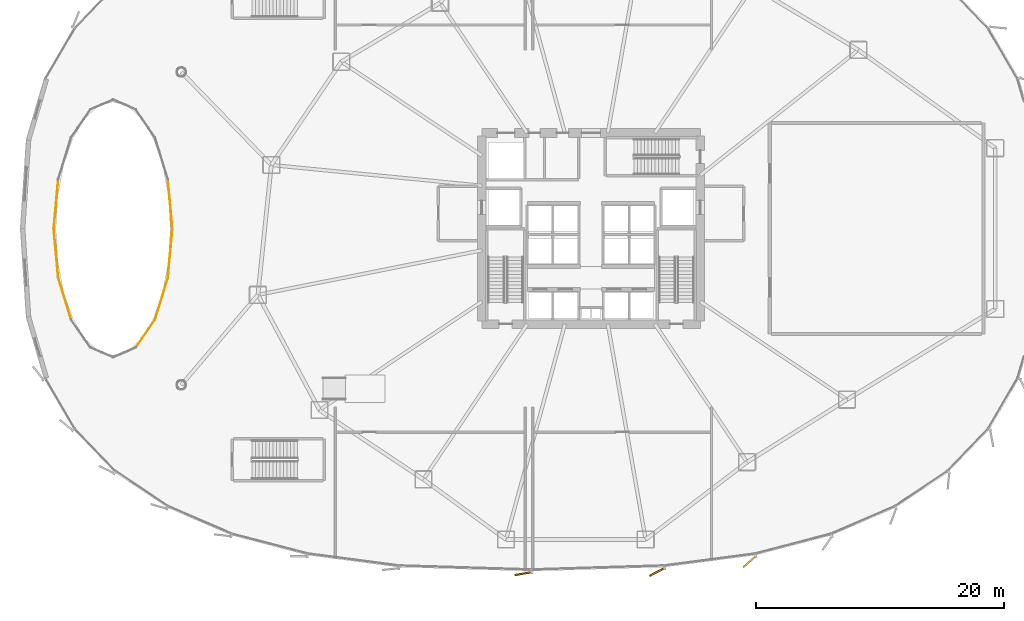
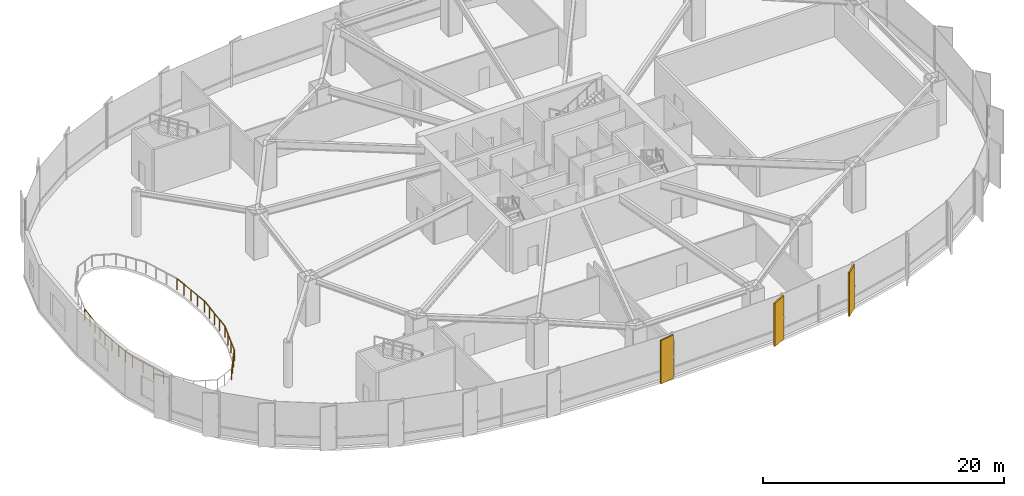
# One storey, part 29 of 33: 7 railings, 3 coverings.
"""IFC4 building model written with IfcOpenShell, lengths in metres."""

from ifc_helpers import new_model, si_unit, direction, frame, origin, origin_2d, place, context, subcontext, project, spatial, rectangle, circle, extrude, source, transform, mapped, material, layer, layer_set, type_object, element, save


model = new_model("IFC4")

# Units and contexts
model_context = context("Model", 3, precision=1e-05, world=origin(), true_north=direction((0.0, 1.0)))
body_context = subcontext(model_context, "Body", "Model", "MODEL_VIEW")
ifc_project = project(units=[si_unit("LENGTHUNIT", "METRE"), si_unit("AREAUNIT", "SQUARE_METRE"), si_unit("VOLUMEUNIT", "CUBIC_METRE"), si_unit("PLANEANGLEUNIT", "RADIAN"), si_unit("MASSUNIT", "GRAM", prefix="KILO"), si_unit("THERMODYNAMICTEMPERATUREUNIT", "KELVIN")], contexts=[model_context])

# Site, building, storey
site_placement = place(None, origin())
site = spatial("IfcSite", under=ifc_project, at=site_placement, CompositionType="ELEMENT")
building_placement = place(site_placement, origin())
building = spatial("IfcBuilding", under=site, at=building_placement, Name="Kethvar Cultural Tower", CompositionType="ELEMENT")
storey_placement = place(building_placement, frame((0.0, 0.0, 10.0)))
storey = spatial("IfcBuildingStorey", under=building, at=storey_placement, Name="L02", CompositionType="ELEMENT", Elevation=10.0)

# Railings
ifc_material_1 = material(Name="Steel S355J2", Category="steel")
railing_type = type_object("IfcRailingType", Name="RL-INT-ATRIUM-1150", PredefinedType="BALUSTRADE", material=ifc_material_1)
railing_1_placement = place(storey_placement, frame((13.080078125, 27.800048828125, 0.0)))
element("IfcRailing", 1, at=railing_1_placement, inside=storey, type_object=railing_type, Name="L02 Atrium Void Balustrade 01", PredefinedType="BALUSTRADE", context=body_context, shape_type="SweptSolid", body=[
    extrude(circle(Radius=0.02392578125, at=origin_2d()), frame((0.0, 0.0, 1.1259765625), z_axis=(-0.091258659419, 0.995827222504, 0.0), x_axis=(-0.995827222504, -0.091258659419, 0.0)), (0.0, 0.0, 1.0), 3.98876953125),
    extrude(circle(Radius=0.02099609375, at=origin_2d()), origin(), (0.0, 0.0, 1.0), 1.101806640625),
    extrude(circle(Radius=0.02099609375, at=origin_2d()), frame((-0.091064453125, 0.9931640625, 0.0)), (0.0, 0.0, 1.0), 1.101806640625),
    extrude(circle(Radius=0.02099609375, at=origin_2d()), frame((-0.18212890625, 1.986083984375, 0.0)), (0.0, 0.0, 1.0), 1.101806640625),
    extrude(circle(Radius=0.02099609375, at=origin_2d()), frame((-0.27294921875, 2.97900390625, 0.0)), (0.0, 0.0, 1.0), 1.101806640625),
    extrude(circle(Radius=0.02099609375, at=origin_2d()), frame((-0.364013671875, 3.97216796875, 0.0)), (0.0, 0.0, 1.0), 1.101806640625),
])
railing_2_placement = place(storey_placement, frame((3.8837890625, 31.772216796875, 0.0)))
element("IfcRailing", 2, at=railing_2_placement, inside=storey, type_object=railing_type, Name="L02 Atrium Void Balustrade 08", PredefinedType="BALUSTRADE", context=body_context, shape_type="SweptSolid", body=[
    extrude(circle(Radius=0.02392578125, at=origin_2d()), frame((0.0, 0.0, 1.1259765625), z_axis=(-0.091197962302, -0.995832782987, 0.0), x_axis=(0.995832782987, -0.091197962302, 0.0)), (0.0, 0.0, 1.0), 3.98876953125),
    extrude(circle(Radius=0.02099609375, at=origin_2d()), origin(), (0.0, 0.0, 1.0), 1.101806640625),
    extrude(circle(Radius=0.02099609375, at=origin_2d()), frame((-0.0908203125, -0.9931640625, 0.0)), (0.0, 0.0, 1.0), 1.101806640625),
    extrude(circle(Radius=0.02099609375, at=origin_2d()), frame((-0.181884765625, -1.986083984375, 0.0)), (0.0, 0.0, 1.0), 1.101806640625),
    extrude(circle(Radius=0.02099609375, at=origin_2d()), frame((-0.27294921875, -2.97900390625, 0.0)), (0.0, 0.0, 1.0), 1.101806640625),
    extrude(circle(Radius=0.02099609375, at=origin_2d()), frame((-0.36376953125, -3.97216796875, 0.0)), (0.0, 0.0, 1.0), 1.101806640625),
])
railing_3_placement = place(storey_placement, frame((3.52001953125, 27.800048828125, 0.0)))
element("IfcRailing", 3, at=railing_3_placement, inside=storey, type_object=railing_type, Name="L02 Atrium Void Balustrade 09", PredefinedType="BALUSTRADE", context=body_context, shape_type="SweptSolid", body=[
    extrude(circle(Radius=0.02392578125, at=origin_2d()), frame((0.0, 0.0, 1.1259765625), z_axis=(0.091192403975, -0.995833292001, 0.0), x_axis=(0.995833292001, 0.091192403975, 0.0)), (0.0, 0.0, 1.0), 3.989013671875),
    extrude(circle(Radius=0.02099609375, at=origin_2d()), origin(), (0.0, 0.0, 1.0), 1.101806640625),
    extrude(circle(Radius=0.02099609375, at=origin_2d()), frame((0.0908203125, -0.9931640625, 0.0)), (0.0, 0.0, 1.0), 1.101806640625),
    extrude(circle(Radius=0.02099609375, at=origin_2d()), frame((0.181884765625, -1.986328125, 0.0)), (0.0, 0.0, 1.0), 1.101806640625),
    extrude(circle(Radius=0.02099609375, at=origin_2d()), frame((0.27294921875, -2.979248046875, 0.0)), (0.0, 0.0, 1.0), 1.101806640625),
    extrude(circle(Radius=0.02099609375, at=origin_2d()), frame((0.36376953125, -3.972412109375, 0.0)), (0.0, 0.0, 1.0), 1.101806640625),
])
railing_4_placement = place(storey_placement, frame((3.8837890625, 23.82763671875, 0.0)))
element("IfcRailing", 4, at=railing_4_placement, inside=storey, type_object=railing_type, Name="L02 Atrium Void Balustrade 10", PredefinedType="BALUSTRADE", context=body_context, shape_type="SweptSolid", body=[
    extrude(circle(Radius=0.02392578125, at=origin_2d()), frame((0.0, 0.0, 1.1259765625), z_axis=(0.294085848838, -0.955779008722, 0.0), x_axis=(0.955779008722, 0.294085848838, 0.0)), (0.0, 0.0, 1.0), 3.523193359375),
    extrude(circle(Radius=0.02099609375, at=origin_2d()), origin(), (0.0, 0.0, 1.0), 1.101806640625),
    extrude(circle(Radius=0.02099609375, at=origin_2d()), frame((0.345458984375, -1.12255859375, 0.0)), (0.0, 0.0, 1.0), 1.101806640625),
    extrude(circle(Radius=0.02099609375, at=origin_2d()), frame((0.690673828125, -2.244873046875, 0.0)), (0.0, 0.0, 1.0), 1.101806640625),
    extrude(circle(Radius=0.02099609375, at=origin_2d()), frame((1.0361328125, -3.367431640625, 0.0)), (0.0, 0.0, 1.0), 1.101806640625),
])
railing_5_placement = place(storey_placement, frame((10.129150390625, 18.210205078125, 0.0)))
element("IfcRailing", 5, at=railing_5_placement, inside=storey, type_object=railing_type, Name="L02 Atrium Void Balustrade 14", PredefinedType="BALUSTRADE", context=body_context, shape_type="SweptSolid", body=[
    extrude(circle(Radius=0.02392578125, at=origin_2d()), frame((0.0, 0.0, 1.1259765625), z_axis=(0.567499103601, 0.823374014293, 0.0), x_axis=(-0.823374014293, 0.567499103601, 0.0)), (0.0, 0.0, 1.0), 2.732666015625),
    extrude(circle(Radius=0.02099609375, at=origin_2d()), origin(), (0.0, 0.0, 1.0), 1.101806640625),
    extrude(circle(Radius=0.02099609375, at=origin_2d()), frame((0.516845703125, 0.75, 0.0)), (0.0, 0.0, 1.0), 1.101806640625),
    extrude(circle(Radius=0.02099609375, at=origin_2d()), frame((1.033935546875, 1.5, 0.0)), (0.0, 0.0, 1.0), 1.101806640625),
    extrude(circle(Radius=0.02099609375, at=origin_2d()), frame((1.55078125, 2.25, 0.0)), (0.0, 0.0, 1.0), 1.101806640625),
])
railing_6_placement = place(storey_placement, frame((11.679931640625, 20.460205078125, 0.0)))
element("IfcRailing", 6, at=railing_6_placement, inside=storey, type_object=railing_type, Name="L02 Atrium Void Balustrade 15", PredefinedType="BALUSTRADE", context=body_context, shape_type="SweptSolid", body=[
    extrude(circle(Radius=0.02392578125, at=origin_2d()), frame((0.0, 0.0, 1.1259765625), z_axis=(0.294085848838, 0.955779008722, 0.0), x_axis=(-0.955779008722, 0.294085848838, 0.0)), (0.0, 0.0, 1.0), 3.523193359375),
    extrude(circle(Radius=0.02099609375, at=origin_2d()), origin(), (0.0, 0.0, 1.0), 1.101806640625),
    extrude(circle(Radius=0.02099609375, at=origin_2d()), frame((0.345458984375, 1.12255859375, 0.0)), (0.0, 0.0, 1.0), 1.101806640625),
    extrude(circle(Radius=0.02099609375, at=origin_2d()), frame((0.690673828125, 2.244873046875, 0.0)), (0.0, 0.0, 1.0), 1.101806640625),
    extrude(circle(Radius=0.02099609375, at=origin_2d()), frame((1.0361328125, 3.367431640625, 0.0)), (0.0, 0.0, 1.0), 1.101806640625),
])
railing_7_placement = place(storey_placement, frame((12.716064453125, 23.82763671875, 0.0)))
element("IfcRailing", 7, at=railing_7_placement, inside=storey, type_object=railing_type, Name="L02 Atrium Void Balustrade 16", PredefinedType="BALUSTRADE", context=body_context, shape_type="SweptSolid", body=[
    extrude(circle(Radius=0.02392578125, at=origin_2d()), frame((0.0, 0.0, 1.1259765625), z_axis=(0.091253097456, 0.995827732193, 0.0), x_axis=(-0.995827732193, 0.091253097456, 0.0)), (0.0, 0.0, 1.0), 3.989013671875),
    extrude(circle(Radius=0.02099609375, at=origin_2d()), origin(), (0.0, 0.0, 1.0), 1.101806640625),
    extrude(circle(Radius=0.02099609375, at=origin_2d()), frame((0.091064453125, 0.9931640625, 0.0)), (0.0, 0.0, 1.0), 1.101806640625),
    extrude(circle(Radius=0.02099609375, at=origin_2d()), frame((0.18212890625, 1.986328125, 0.0)), (0.0, 0.0, 1.0), 1.101806640625),
    extrude(circle(Radius=0.02099609375, at=origin_2d()), frame((0.27294921875, 2.979248046875, 0.0)), (0.0, 0.0, 1.0), 1.101806640625),
    extrude(circle(Radius=0.02099609375, at=origin_2d()), frame((0.364013671875, 3.972412109375, 0.0)), (0.0, 0.0, 1.0), 1.101806640625),
])

# Coverings
ifc_material_2 = material(Name="Extruded Architectural Terracotta", Category="masonry")
ifc_layer = layer(ifc_material_2, 0.135009765625, Name="Extruded Architectural Terracotta", Category="masonry")
ifc_layer_set = layer_set([ifc_layer], Name="Extruded Architectural Terracotta (135 mm)")
covering_type = type_object("IfcCoveringType", Name="Terracotta Facade Fin FIN-04", PredefinedType="CLADDING", material=ifc_layer_set)
shared_shape = source(origin(), body_context, "Body", "SweptSolid", [
    extrude(rectangle(XDim=1.35009765625, YDim=0.135009765625, at=origin_2d()), origin(), (0.0, 0.0, 1.0), 4.39990234375),
])
for number, where, z_axis, x_axis, name in (
    (8, (41.337158203125, 0.005859375, 0.02001953125), (0.0, 0.0, 1.0), (-0.985615113142, -0.169005469575, 0.0), "L02 Vertical Terracotta Fin 5.2"),
    (9, (52.12451171875, 0.137939453125, 0.02001953125), (0.0, 0.0, 1.0), (-0.891481453292, -0.453057191132, 0.0), "L02 Vertical Terracotta Fin 5.3"),
    (10, (59.564697265625, 0.964599609375, 0.02001953125), (0.0, 0.0, 1.0), (-0.748608671094, -0.663012109666, 0.0), "L02 Vertical Terracotta Fin 5.4"),
):
    element("IfcCovering", number, at=place(storey_placement, frame(where, z_axis=z_axis, x_axis=x_axis)), inside=storey, type_object=covering_type, Name=name, PredefinedType="CLADDING", context=body_context, shape_type="MappedRepresentation", body=[
        mapped(shared_shape, transform((0.0, 0.0, 0.0), scale=1.0)),
    ])

save(model, "model.ifc")
